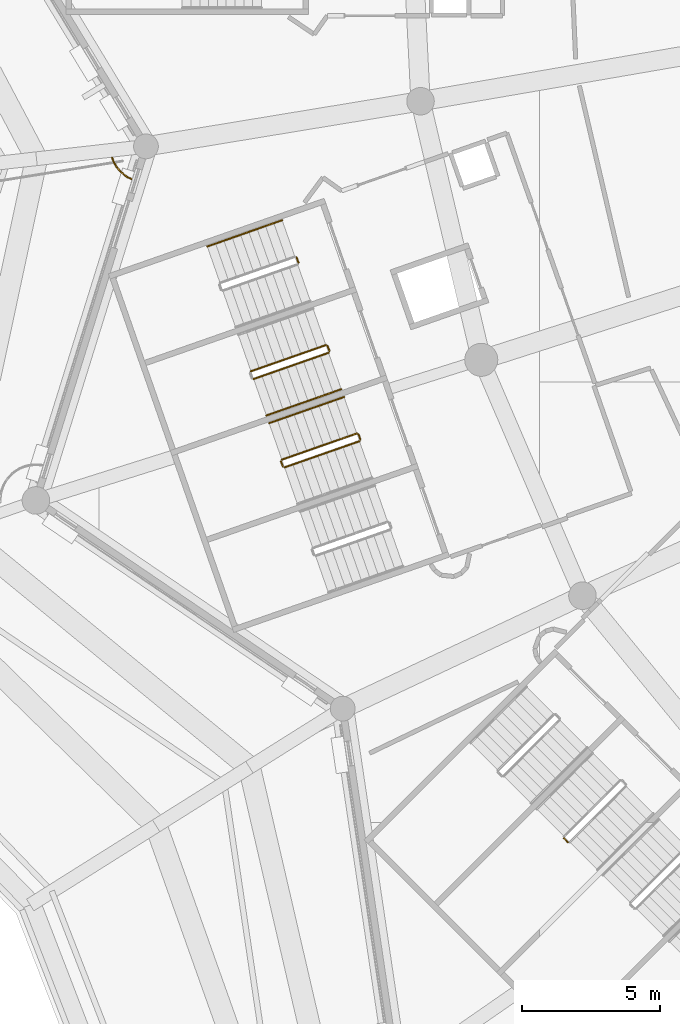
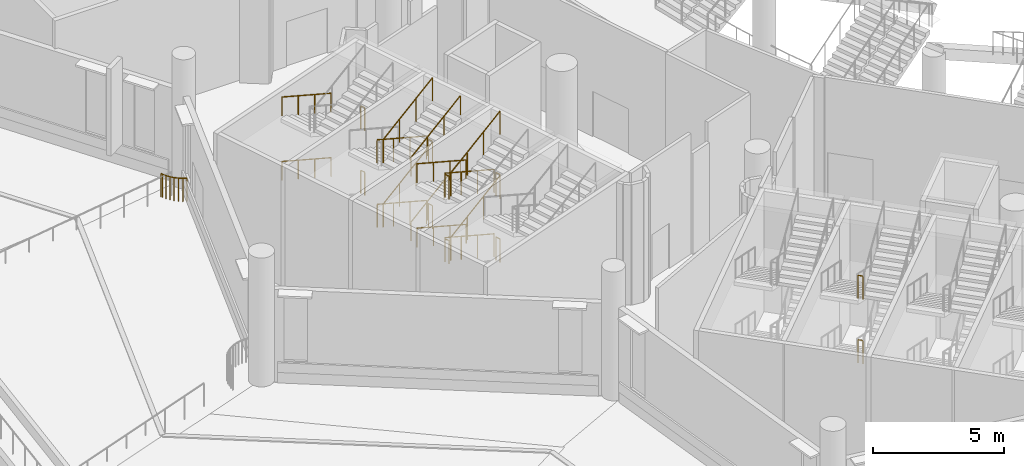
# One storey, part 112 of 173: 31 railings.
"""IFC4 building model written with IfcOpenShell, lengths in metres."""

from ifc_helpers import new_model, si_unit, direction, frame, origin, origin_2d, place, context, subcontext, project, spatial, circle, extrude, material, type_object, element, save


model = new_model("IFC4")

# Units and contexts
model_context = context("Model", 3, precision=1e-05, world=origin(), true_north=direction((0.0, 1.0)))
body_context = subcontext(model_context, "Body", "Model", "MODEL_VIEW")
ifc_project = project(units=[si_unit("LENGTHUNIT", "METRE"), si_unit("AREAUNIT", "SQUARE_METRE"), si_unit("VOLUMEUNIT", "CUBIC_METRE"), si_unit("PLANEANGLEUNIT", "RADIAN"), si_unit("MASSUNIT", "GRAM", prefix="KILO")], contexts=[model_context])

# Site, building, storey
site_placement = place(None, origin())
site = spatial("IfcSite", under=ifc_project, at=site_placement, CompositionType="ELEMENT")
building_placement = place(site_placement, origin())
building = spatial("IfcBuilding", under=site, at=building_placement, Name="Meseta Stadium", CompositionType="ELEMENT")
storey_placement = place(building_placement, frame((0.0, 0.0, 18.0)))
storey = spatial("IfcBuildingStorey", under=building, at=storey_placement, Name="L03", CompositionType="ELEMENT", Elevation=18.0)

# Railings
ifc_material_1 = material(Name="Steel S355", Category="steel")
railing_type_1 = type_object("IfcRailingType", Name="Roof garden guard 1100", PredefinedType="GUARDRAIL", material=ifc_material_1)
railing_1_placement = place(storey_placement, frame((-95.525390625, -55.85107421875, 0.0)))
element("IfcRailing", 1, at=railing_1_placement, inside=storey, type_object=railing_type_1, Name="Roof garden pit guard 38.4.1", PredefinedType="GUARDRAIL", context=body_context, shape_type="SweptSolid", body=[
    extrude(circle(Radius=0.02490234375, at=origin_2d()), frame((0.0, 0.0, 1.0751953125), z_axis=(0.308425302687, -0.95124856513, 0.0), x_axis=(0.95124856513, 0.308425302687, 0.0)), (0.0, 0.0, 1.0), 0.0751953125),
    extrude(circle(Radius=0.02001953125, at=origin_2d()), origin(), (0.0, 0.0, 1.0), 1.050048828125),
    extrude(circle(Radius=0.02001953125, at=origin_2d()), frame((0.023193359375, -0.071533203125, 0.0)), (0.0, 0.0, 1.0), 1.050048828125),
])
railing_2_placement = place(storey_placement, frame((-95.502197265625, -55.922607421875, 0.0)))
element("IfcRailing", 2, at=railing_2_placement, inside=storey, type_object=railing_type_1, Name="Roof garden pit guard 38.4.2", PredefinedType="GUARDRAIL", context=body_context, shape_type="SweptSolid", body=[
    extrude(circle(Radius=0.02490234375, at=origin_2d()), frame((0.0, 0.0, 1.0751953125), z_axis=(0.428967222333, -0.903320055221, 0.0), x_axis=(0.903320055221, 0.428967222333, 0.0)), (0.0, 0.0, 1.0), 0.166748046875),
    extrude(circle(Radius=0.02001953125, at=origin_2d()), origin(), (0.0, 0.0, 1.0), 1.050048828125),
    extrude(circle(Radius=0.02001953125, at=origin_2d()), frame((0.071533203125, -0.150634765625, 0.0)), (0.0, 0.0, 1.0), 1.050048828125),
])
railing_3_placement = place(storey_placement, frame((-95.4306640625, -56.0732421875, 0.0)))
element("IfcRailing", 3, at=railing_3_placement, inside=storey, type_object=railing_type_1, Name="Roof garden pit guard 38.4.3", PredefinedType="GUARDRAIL", context=body_context, shape_type="SweptSolid", body=[
    extrude(circle(Radius=0.02490234375, at=origin_2d()), frame((0.0, 0.0, 1.0751953125), z_axis=(0.541793296681, -0.840511762959, 0.0), x_axis=(0.840511762959, 0.541793296681, 0.0)), (0.0, 0.0, 1.0), 0.166748046875),
    extrude(circle(Radius=0.02001953125, at=origin_2d()), origin(), (0.0, 0.0, 1.0), 1.050048828125),
    extrude(circle(Radius=0.02001953125, at=origin_2d()), frame((0.09033203125, -0.14013671875, 0.0)), (0.0, 0.0, 1.0), 1.050048828125),
])
railing_4_placement = place(storey_placement, frame((-95.34033203125, -56.21337890625, 0.0)))
element("IfcRailing", 4, at=railing_4_placement, inside=storey, type_object=railing_type_1, Name="Roof garden pit guard 38.4.4", PredefinedType="GUARDRAIL", context=body_context, shape_type="SweptSolid", body=[
    extrude(circle(Radius=0.02490234375, at=origin_2d()), frame((0.0, 0.0, 1.0751953125), z_axis=(0.643775228433, -0.765214646524, 0.0), x_axis=(0.765214646524, 0.643775228433, 0.0)), (0.0, 0.0, 1.0), 0.166748046875),
    extrude(circle(Radius=0.02001953125, at=origin_2d()), origin(), (0.0, 0.0, 1.0), 1.050048828125),
    extrude(circle(Radius=0.02001953125, at=origin_2d()), frame((0.107421875, -0.127685546875, 0.0)), (0.0, 0.0, 1.0), 1.050048828125),
])
railing_5_placement = place(storey_placement, frame((-95.23291015625, -56.341064453125, 0.0)))
element("IfcRailing", 5, at=railing_5_placement, inside=storey, type_object=railing_type_1, Name="Roof garden pit guard 38.4.5", PredefinedType="GUARDRAIL", context=body_context, shape_type="SweptSolid", body=[
    extrude(circle(Radius=0.02490234375, at=origin_2d()), frame((0.0, 0.0, 1.0751953125), z_axis=(0.736485226854, -0.676453627846, 0.0), x_axis=(0.676453627846, 0.736485226854, 0.0)), (0.0, 0.0, 1.0), 0.166748046875),
    extrude(circle(Radius=0.02001953125, at=origin_2d()), origin(), (0.0, 0.0, 1.0), 1.050048828125),
    extrude(circle(Radius=0.02001953125, at=origin_2d()), frame((0.122802734375, -0.11279296875, 0.0)), (0.0, 0.0, 1.0), 1.050048828125),
])
railing_6_placement = place(storey_placement, frame((-95.110107421875, -56.453857421875, 0.0)))
element("IfcRailing", 6, at=railing_6_placement, inside=storey, type_object=railing_type_1, Name="Roof garden pit guard 38.4.6", PredefinedType="GUARDRAIL", context=body_context, shape_type="SweptSolid", body=[
    extrude(circle(Radius=0.02490234375, at=origin_2d()), frame((0.0, 0.0, 1.0751953125), z_axis=(0.818061433529, -0.575130846828, 0.0), x_axis=(0.575130846828, 0.818061433529, 0.0)), (0.0, 0.0, 1.0), 0.166748046875),
    extrude(circle(Radius=0.02001953125, at=origin_2d()), origin(), (0.0, 0.0, 1.0), 1.050048828125),
    extrude(circle(Radius=0.02001953125, at=origin_2d()), frame((0.136474609375, -0.095947265625, 0.0)), (0.0, 0.0, 1.0), 1.050048828125),
])
railing_7_placement = place(storey_placement, frame((-94.9736328125, -56.5498046875, 0.0)))
element("IfcRailing", 7, at=railing_7_placement, inside=storey, type_object=railing_type_1, Name="Roof garden pit guard 38.4.7", PredefinedType="GUARDRAIL", context=body_context, shape_type="SweptSolid", body=[
    extrude(circle(Radius=0.02490234375, at=origin_2d()), frame((0.0, 0.0, 1.0751953125), z_axis=(0.884250421374, -0.467013053673, 0.0), x_axis=(0.467013053673, 0.884250421374, 0.0)), (0.0, 0.0, 1.0), 0.166748046875),
    extrude(circle(Radius=0.02001953125, at=origin_2d()), origin(), (0.0, 0.0, 1.0), 1.050048828125),
    extrude(circle(Radius=0.02001953125, at=origin_2d()), frame((0.1474609375, -0.077880859375, 0.0)), (0.0, 0.0, 1.0), 1.050048828125),
])
ifc_material_2 = material(Name="Steel S355", Category="steel")
railing_type_2 = type_object("IfcRailingType", Name="Stair guard 1100", PredefinedType="GUARDRAIL", material=ifc_material_2)
for number, where, name in (
    (8, (-88.823486328125, -59.475341796875, 3.0), "ST77 L03 guard 4"),
    (9, (-88.823486328125, -59.475341796875, 0.0), "ST77 L03 guard 8"),
):
    element("IfcRailing", number, at=place(storey_placement, frame(where)), inside=storey, type_object=railing_type_2, Name=name, PredefinedType="GUARDRAIL", context=body_context, shape_type="SweptSolid", body=[
        extrude(circle(Radius=0.02392578125, at=origin_2d()), frame((0.0, 0.0, 1.076171875), z_axis=(0.329372156318, -0.944200181446, 0.0), x_axis=(0.944200181446, 0.329372156318, 0.0)), (0.0, 0.0, 1.0), 0.2001953125),
        extrude(circle(Radius=0.02099609375, at=origin_2d()), origin(), (0.0, 0.0, 1.0), 1.052001953125),
        extrude(circle(Radius=0.02099609375, at=origin_2d()), frame((0.06591796875, -0.18896484375, 0.0)), (0.0, 0.0, 1.0), 1.052001953125),
    ])
railing_8_placement = place(storey_placement, frame((-87.764404296875, -62.654052734375, 0.14990234375)))
element("IfcRailing", 10, at=railing_8_placement, inside=storey, type_object=railing_type_2, Name="ST78 L03 guard 1", PredefinedType="GUARDRAIL", context=body_context, shape_type="SweptSolid", body=[
    extrude(circle(Radius=0.02392578125, at=origin_2d()), frame((0.0, 0.0, 1.076171875), z_axis=(-0.854628651604, -0.299050945451, 0.424474262922), x_axis=(0.33028245302, -0.943882143717, 0.0)), (0.0, 0.0, 1.0), 3.1806640625),
    extrude(circle(Radius=0.02099609375, at=origin_2d()), origin(), (0.0, 0.0, 1.0), 1.052001953125),
    extrude(circle(Radius=0.02099609375, at=origin_2d()), frame((-0.906005859375, -0.317138671875, 0.449951171875)), (0.0, 0.0, 1.0), 1.052001953125),
    extrude(circle(Radius=0.02099609375, at=origin_2d()), frame((-1.812255859375, -0.634033203125, 0.900146484375)), (0.0, 0.0, 1.0), 1.052001953125),
    extrude(circle(Radius=0.02099609375, at=origin_2d()), frame((-2.71826171875, -0.951171875, 1.35009765625)), (0.0, 0.0, 1.0), 1.052001953125),
])
railing_9_placement = place(storey_placement, frame((-90.383544921875, -63.888427734375, 1.64990234375)))
element("IfcRailing", 11, at=railing_9_placement, inside=storey, type_object=railing_type_2, Name="ST78 L03 guard 3", PredefinedType="GUARDRAIL", context=body_context, shape_type="SweptSolid", body=[
    extrude(circle(Radius=0.02392578125, at=origin_2d()), frame((0.0, 0.0, 1.076171875), z_axis=(0.854628651604, 0.299050945451, 0.424474262922), x_axis=(-0.33028245302, 0.943882143717, 0.0)), (0.0, 0.0, 1.0), 3.1806640625),
    extrude(circle(Radius=0.02099609375, at=origin_2d()), origin(), (0.0, 0.0, 1.0), 1.052001953125),
    extrude(circle(Radius=0.02099609375, at=origin_2d()), frame((0.906005859375, 0.317138671875, 0.449951171875)), (0.0, 0.0, 1.0), 1.052001953125),
    extrude(circle(Radius=0.02099609375, at=origin_2d()), frame((1.812255859375, 0.634033203125, 0.900146484375)), (0.0, 0.0, 1.0), 1.052001953125),
    extrude(circle(Radius=0.02099609375, at=origin_2d()), frame((2.71826171875, 0.951171875, 1.35009765625)), (0.0, 0.0, 1.0), 1.052001953125),
])
railing_10_placement = place(storey_placement, frame((-87.70068359375, -62.6845703125, 3.0)))
element("IfcRailing", 12, at=railing_10_placement, inside=storey, type_object=railing_type_2, Name="ST78 L03 guard 4", PredefinedType="GUARDRAIL", context=body_context, shape_type="SweptSolid", body=[
    extrude(circle(Radius=0.02392578125, at=origin_2d()), frame((0.0, 0.0, 1.076171875), z_axis=(0.330459055601, -0.943820328543, 0.0), x_axis=(0.943820328543, 0.330459055601, 0.0)), (0.0, 0.0, 1.0), 0.2001953125),
    extrude(circle(Radius=0.02099609375, at=origin_2d()), origin(), (0.0, 0.0, 1.0), 1.052001953125),
    extrude(circle(Radius=0.02099609375, at=origin_2d()), frame((0.066162109375, -0.18896484375, 0.0)), (0.0, 0.0, 1.0), 1.052001953125),
])
railing_11_placement = place(storey_placement, frame((-87.764404296875, -62.654052734375, 3.14990234375)))
element("IfcRailing", 13, at=railing_11_placement, inside=storey, type_object=railing_type_2, Name="ST78 L03 guard 5", PredefinedType="GUARDRAIL", context=body_context, shape_type="SweptSolid", body=[
    extrude(circle(Radius=0.02392578125, at=origin_2d()), frame((0.0, 0.0, 1.076171875), z_axis=(-0.854628651604, -0.299050945451, 0.424474262922), x_axis=(0.33028245302, -0.943882143717, 0.0)), (0.0, 0.0, 1.0), 3.1806640625),
    extrude(circle(Radius=0.02099609375, at=origin_2d()), origin(), (0.0, 0.0, 1.0), 1.052001953125),
    extrude(circle(Radius=0.02099609375, at=origin_2d()), frame((-0.906005859375, -0.317138671875, 0.449951171875)), (0.0, 0.0, 1.0), 1.052001953125),
    extrude(circle(Radius=0.02099609375, at=origin_2d()), frame((-1.812255859375, -0.634033203125, 0.900146484375)), (0.0, 0.0, 1.0), 1.052001953125),
    extrude(circle(Radius=0.02099609375, at=origin_2d()), frame((-2.71826171875, -0.951171875, 1.35009765625)), (0.0, 0.0, 1.0), 1.052001953125),
])
railing_12_placement = place(storey_placement, frame((-90.383544921875, -63.888427734375, 4.64990234375)))
element("IfcRailing", 14, at=railing_12_placement, inside=storey, type_object=railing_type_2, Name="ST78 L03 guard 7", PredefinedType="GUARDRAIL", context=body_context, shape_type="SweptSolid", body=[
    extrude(circle(Radius=0.02392578125, at=origin_2d()), frame((0.0, 0.0, 1.076171875), z_axis=(0.854628651604, 0.299050945451, 0.424474262922), x_axis=(-0.33028245302, 0.943882143717, 0.0)), (0.0, 0.0, 1.0), 3.1806640625),
    extrude(circle(Radius=0.02099609375, at=origin_2d()), origin(), (0.0, 0.0, 1.0), 1.052001953125),
    extrude(circle(Radius=0.02099609375, at=origin_2d()), frame((0.906005859375, 0.317138671875, 0.449951171875)), (0.0, 0.0, 1.0), 1.052001953125),
    extrude(circle(Radius=0.02099609375, at=origin_2d()), frame((1.812255859375, 0.634033203125, 0.900146484375)), (0.0, 0.0, 1.0), 1.052001953125),
    extrude(circle(Radius=0.02099609375, at=origin_2d()), frame((2.71826171875, 0.951171875, 1.35009765625)), (0.0, 0.0, 1.0), 1.052001953125),
])
railing_13_placement = place(storey_placement, frame((-87.70068359375, -62.6845703125, 0.0)))
element("IfcRailing", 15, at=railing_13_placement, inside=storey, type_object=railing_type_2, Name="ST78 L03 guard 8", PredefinedType="GUARDRAIL", context=body_context, shape_type="SweptSolid", body=[
    extrude(circle(Radius=0.02392578125, at=origin_2d()), frame((0.0, 0.0, 1.076171875), z_axis=(0.330459055601, -0.943820328543, 0.0), x_axis=(0.943820328543, 0.330459055601, 0.0)), (0.0, 0.0, 1.0), 0.2001953125),
    extrude(circle(Radius=0.02099609375, at=origin_2d()), origin(), (0.0, 0.0, 1.0), 1.052001953125),
    extrude(circle(Radius=0.02099609375, at=origin_2d()), frame((0.066162109375, -0.18896484375, 0.0)), (0.0, 0.0, 1.0), 1.052001953125),
])
railing_14_placement = place(storey_placement, frame((-86.641357421875, -65.86328125, 0.14990234375)))
element("IfcRailing", 16, at=railing_14_placement, inside=storey, type_object=railing_type_2, Name="ST79 L03 guard 1", PredefinedType="GUARDRAIL", context=body_context, shape_type="SweptSolid", body=[
    extrude(circle(Radius=0.02392578125, at=origin_2d()), frame((0.0, 0.0, 1.076171875), z_axis=(-0.854649344405, -0.299031328765, 0.42444641891), x_axis=(0.330256026668, -0.943891390388, 0.0)), (0.0, 0.0, 1.0), 3.180908203125),
    extrude(circle(Radius=0.02099609375, at=origin_2d()), origin(), (0.0, 0.0, 1.0), 1.052001953125),
    extrude(circle(Radius=0.02099609375, at=origin_2d()), frame((-0.90625, -0.317138671875, 0.449951171875)), (0.0, 0.0, 1.0), 1.052001953125),
    extrude(circle(Radius=0.02099609375, at=origin_2d()), frame((-1.812255859375, -0.634033203125, 0.900146484375)), (0.0, 0.0, 1.0), 1.052001953125),
    extrude(circle(Radius=0.02099609375, at=origin_2d()), frame((-2.718505859375, -0.951171875, 1.35009765625)), (0.0, 0.0, 1.0), 1.052001953125),
])
railing_15_placement = place(storey_placement, frame((-89.390380859375, -66.878173828125, 1.5)))
element("IfcRailing", 17, at=railing_15_placement, inside=storey, type_object=railing_type_2, Name="ST79 L03 guard 2", PredefinedType="GUARDRAIL", context=body_context, shape_type="SweptSolid", body=[
    extrude(circle(Radius=0.02392578125, at=origin_2d()), frame((0.0, 0.0, 1.076171875), z_axis=(0.329751946816, -0.944067610699, 0.0), x_axis=(0.944067610699, 0.329751946816, 0.0)), (0.0, 0.0, 1.0), 0.199951171875),
    extrude(circle(Radius=0.02099609375, at=origin_2d()), origin(), (0.0, 0.0, 1.0), 1.052001953125),
    extrude(circle(Radius=0.02099609375, at=origin_2d()), frame((0.06591796875, -0.188720703125, 0.0)), (0.0, 0.0, 1.0), 1.052001953125),
])
railing_16_placement = place(storey_placement, frame((-89.2607421875, -67.09765625, 1.64990234375)))
element("IfcRailing", 18, at=railing_16_placement, inside=storey, type_object=railing_type_2, Name="ST79 L03 guard 3", PredefinedType="GUARDRAIL", context=body_context, shape_type="SweptSolid", body=[
    extrude(circle(Radius=0.02392578125, at=origin_2d()), frame((0.0, 0.0, 1.076171875), z_axis=(0.854629726927, 0.29910121651, 0.424436676238), x_axis=(-0.330331545909, 0.943864963741, 0.0)), (0.0, 0.0, 1.0), 3.180908203125),
    extrude(circle(Radius=0.02099609375, at=origin_2d()), origin(), (0.0, 0.0, 1.0), 1.052001953125),
    extrude(circle(Radius=0.02099609375, at=origin_2d()), frame((0.90625, 0.317138671875, 0.449951171875)), (0.0, 0.0, 1.0), 1.052001953125),
    extrude(circle(Radius=0.02099609375, at=origin_2d()), frame((1.812255859375, 0.63427734375, 0.900146484375)), (0.0, 0.0, 1.0), 1.052001953125),
    extrude(circle(Radius=0.02099609375, at=origin_2d()), frame((2.718505859375, 0.951416015625, 1.35009765625)), (0.0, 0.0, 1.0), 1.052001953125),
])
railing_17_placement = place(storey_placement, frame((-86.57763671875, -65.893798828125, 3.0)))
element("IfcRailing", 19, at=railing_17_placement, inside=storey, type_object=railing_type_2, Name="ST79 L03 guard 4", PredefinedType="GUARDRAIL", context=body_context, shape_type="SweptSolid", body=[
    extrude(circle(Radius=0.02392578125, at=origin_2d()), frame((0.0, 0.0, 1.076171875), z_axis=(0.329372156318, -0.944200181446, 0.0), x_axis=(0.944200181446, 0.329372156318, 0.0)), (0.0, 0.0, 1.0), 0.2001953125),
    extrude(circle(Radius=0.02099609375, at=origin_2d()), origin(), (0.0, 0.0, 1.0), 1.052001953125),
    extrude(circle(Radius=0.02099609375, at=origin_2d()), frame((0.06591796875, -0.18896484375, 0.0)), (0.0, 0.0, 1.0), 1.052001953125),
])
railing_18_placement = place(storey_placement, frame((-86.641357421875, -65.86328125, 3.14990234375)))
element("IfcRailing", 20, at=railing_18_placement, inside=storey, type_object=railing_type_2, Name="ST79 L03 guard 5", PredefinedType="GUARDRAIL", context=body_context, shape_type="SweptSolid", body=[
    extrude(circle(Radius=0.02392578125, at=origin_2d()), frame((0.0, 0.0, 1.076171875), z_axis=(-0.854649344405, -0.299031328765, 0.42444641891), x_axis=(0.330256026668, -0.943891390388, 0.0)), (0.0, 0.0, 1.0), 3.180908203125),
    extrude(circle(Radius=0.02099609375, at=origin_2d()), origin(), (0.0, 0.0, 1.0), 1.052001953125),
    extrude(circle(Radius=0.02099609375, at=origin_2d()), frame((-0.90625, -0.317138671875, 0.449951171875)), (0.0, 0.0, 1.0), 1.052001953125),
    extrude(circle(Radius=0.02099609375, at=origin_2d()), frame((-1.812255859375, -0.634033203125, 0.900146484375)), (0.0, 0.0, 1.0), 1.052001953125),
    extrude(circle(Radius=0.02099609375, at=origin_2d()), frame((-2.718505859375, -0.951171875, 1.35009765625)), (0.0, 0.0, 1.0), 1.052001953125),
])
railing_19_placement = place(storey_placement, frame((-89.390380859375, -66.878173828125, 4.5)))
element("IfcRailing", 21, at=railing_19_placement, inside=storey, type_object=railing_type_2, Name="ST79 L03 guard 6", PredefinedType="GUARDRAIL", context=body_context, shape_type="SweptSolid", body=[
    extrude(circle(Radius=0.02392578125, at=origin_2d()), frame((0.0, 0.0, 1.076171875), z_axis=(0.329751946816, -0.944067610699, 0.0), x_axis=(0.944067610699, 0.329751946816, 0.0)), (0.0, 0.0, 1.0), 0.199951171875),
    extrude(circle(Radius=0.02099609375, at=origin_2d()), origin(), (0.0, 0.0, 1.0), 1.052001953125),
    extrude(circle(Radius=0.02099609375, at=origin_2d()), frame((0.06591796875, -0.188720703125, 0.0)), (0.0, 0.0, 1.0), 1.052001953125),
])
railing_20_placement = place(storey_placement, frame((-89.2607421875, -67.09765625, 4.64990234375)))
element("IfcRailing", 22, at=railing_20_placement, inside=storey, type_object=railing_type_2, Name="ST79 L03 guard 7", PredefinedType="GUARDRAIL", context=body_context, shape_type="SweptSolid", body=[
    extrude(circle(Radius=0.02392578125, at=origin_2d()), frame((0.0, 0.0, 1.076171875), z_axis=(0.854629726927, 0.29910121651, 0.424436676238), x_axis=(-0.330331545909, 0.943864963741, 0.0)), (0.0, 0.0, 1.0), 3.180908203125),
    extrude(circle(Radius=0.02099609375, at=origin_2d()), origin(), (0.0, 0.0, 1.0), 1.052001953125),
    extrude(circle(Radius=0.02099609375, at=origin_2d()), frame((0.90625, 0.317138671875, 0.449951171875)), (0.0, 0.0, 1.0), 1.052001953125),
    extrude(circle(Radius=0.02099609375, at=origin_2d()), frame((1.812255859375, 0.63427734375, 0.900146484375)), (0.0, 0.0, 1.0), 1.052001953125),
    extrude(circle(Radius=0.02099609375, at=origin_2d()), frame((2.718505859375, 0.951416015625, 1.35009765625)), (0.0, 0.0, 1.0), 1.052001953125),
])
railing_21_placement = place(storey_placement, frame((-86.57763671875, -65.893798828125, 0.0)))
element("IfcRailing", 23, at=railing_21_placement, inside=storey, type_object=railing_type_2, Name="ST79 L03 guard 8", PredefinedType="GUARDRAIL", context=body_context, shape_type="SweptSolid", body=[
    extrude(circle(Radius=0.02392578125, at=origin_2d()), frame((0.0, 0.0, 1.076171875), z_axis=(0.329372156318, -0.944200181446, 0.0), x_axis=(0.944200181446, 0.329372156318, 0.0)), (0.0, 0.0, 1.0), 0.2001953125),
    extrude(circle(Radius=0.02099609375, at=origin_2d()), origin(), (0.0, 0.0, 1.0), 1.052001953125),
    extrude(circle(Radius=0.02099609375, at=origin_2d()), frame((0.06591796875, -0.18896484375, 0.0)), (0.0, 0.0, 1.0), 1.052001953125),
])
for number, where, name in (
    (24, (-79.11376953125, -80.568115234375, 1.5), "ST82 L03 guard 2"),
    (25, (-79.11376953125, -80.568115234375, 4.5), "ST82 L03 guard 6"),
):
    element("IfcRailing", number, at=place(storey_placement, frame(where)), inside=storey, type_object=railing_type_2, Name=name, PredefinedType="GUARDRAIL", context=body_context, shape_type="SweptSolid", body=[
        extrude(circle(Radius=0.02392578125, at=origin_2d()), frame((0.0, 0.0, 1.076171875), z_axis=(0.706496417452, -0.707716618519, 0.0), x_axis=(0.707716618519, 0.706496417452, 0.0)), (0.0, 0.0, 1.0), 0.2001953125),
        extrude(circle(Radius=0.02099609375, at=origin_2d()), origin(), (0.0, 0.0, 1.0), 1.052001953125),
        extrude(circle(Radius=0.02099609375, at=origin_2d()), frame((0.141357421875, -0.1416015625, 0.0)), (0.0, 0.0, 1.0), 1.052001953125),
    ])
ifc_material_3 = material(Name="Steel S355", Category="steel")
railing_type_3 = type_object("IfcRailingType", Name="Stair handrail 900", PredefinedType="HANDRAIL", material=ifc_material_3)
for number, where, name in (
    (26, (-89.349609375, -58.123291015625, 0.14990234375), "ST77 L03 handrail 1"),
    (27, (-89.349609375, -58.123291015625, 3.14990234375), "ST77 L03 handrail 3"),
):
    element("IfcRailing", number, at=place(storey_placement, frame(where)), inside=storey, type_object=railing_type_3, Name=name, PredefinedType="HANDRAIL", context=body_context, shape_type="SweptSolid", body=[
        extrude(circle(Radius=0.02392578125, at=origin_2d()), frame((0.0, 0.0, 0.8759765625), z_axis=(-0.854649344405, -0.299031328765, 0.42444641891), x_axis=(0.330256026668, -0.943891390388, 0.0)), (0.0, 0.0, 1.0), 3.180908203125),
        extrude(circle(Radius=0.02099609375, at=origin_2d()), origin(), (0.0, 0.0, 1.0), 0.851806640625),
        extrude(circle(Radius=0.02099609375, at=origin_2d()), frame((-0.90625, -0.317138671875, 0.449951171875)), (0.0, 0.0, 1.0), 0.851806640625),
        extrude(circle(Radius=0.02099609375, at=origin_2d()), frame((-1.812255859375, -0.634033203125, 0.900146484375)), (0.0, 0.0, 1.0), 0.851806640625),
        extrude(circle(Radius=0.02099609375, at=origin_2d()), frame((-2.718505859375, -0.951171875, 1.35009765625)), (0.0, 0.0, 1.0), 0.851806640625),
    ])
for number, where, name in (
    (28, (-89.921142578125, -65.209716796875, 1.64990234375), "ST78 L03 handrail 2"),
    (29, (-89.921142578125, -65.209716796875, 4.64990234375), "ST78 L03 handrail 4"),
):
    element("IfcRailing", number, at=place(storey_placement, frame(where)), inside=storey, type_object=railing_type_3, Name=name, PredefinedType="HANDRAIL", context=body_context, shape_type="SweptSolid", body=[
        extrude(circle(Radius=0.02392578125, at=origin_2d()), frame((0.0, 0.0, 0.8759765625), z_axis=(0.854628651604, 0.299050945451, 0.424474262922), x_axis=(-0.33028245302, 0.943882143717, 0.0)), (0.0, 0.0, 1.0), 3.1806640625),
        extrude(circle(Radius=0.02099609375, at=origin_2d()), origin(), (0.0, 0.0, 1.0), 0.851806640625),
        extrude(circle(Radius=0.02099609375, at=origin_2d()), frame((0.906005859375, 0.317138671875, 0.449951171875)), (0.0, 0.0, 1.0), 0.851806640625),
        extrude(circle(Radius=0.02099609375, at=origin_2d()), frame((1.812255859375, 0.634033203125, 0.900146484375)), (0.0, 0.0, 1.0), 0.851806640625),
        extrude(circle(Radius=0.02099609375, at=origin_2d()), frame((2.71826171875, 0.951171875, 1.35009765625)), (0.0, 0.0, 1.0), 0.851806640625),
    ])
for number, where, name in (
    (30, (-87.103759765625, -64.541748046875, 0.14990234375), "ST79 L03 handrail 1"),
    (31, (-87.103759765625, -64.541748046875, 3.14990234375), "ST79 L03 handrail 3"),
):
    element("IfcRailing", number, at=place(storey_placement, frame(where)), inside=storey, type_object=railing_type_3, Name=name, PredefinedType="HANDRAIL", context=body_context, shape_type="SweptSolid", body=[
        extrude(circle(Radius=0.02392578125, at=origin_2d()), frame((0.0, 0.0, 0.8759765625), z_axis=(-0.854649344405, -0.299031328765, 0.42444641891), x_axis=(0.330256026668, -0.943891390388, 0.0)), (0.0, 0.0, 1.0), 3.180908203125),
        extrude(circle(Radius=0.02099609375, at=origin_2d()), origin(), (0.0, 0.0, 1.0), 0.851806640625),
        extrude(circle(Radius=0.02099609375, at=origin_2d()), frame((-0.90625, -0.317138671875, 0.449951171875)), (0.0, 0.0, 1.0), 0.851806640625),
        extrude(circle(Radius=0.02099609375, at=origin_2d()), frame((-1.812255859375, -0.634033203125, 0.900146484375)), (0.0, 0.0, 1.0), 0.851806640625),
        extrude(circle(Radius=0.02099609375, at=origin_2d()), frame((-2.718505859375, -0.951171875, 1.35009765625)), (0.0, 0.0, 1.0), 0.851806640625),
    ])

save(model, "model.ifc")
